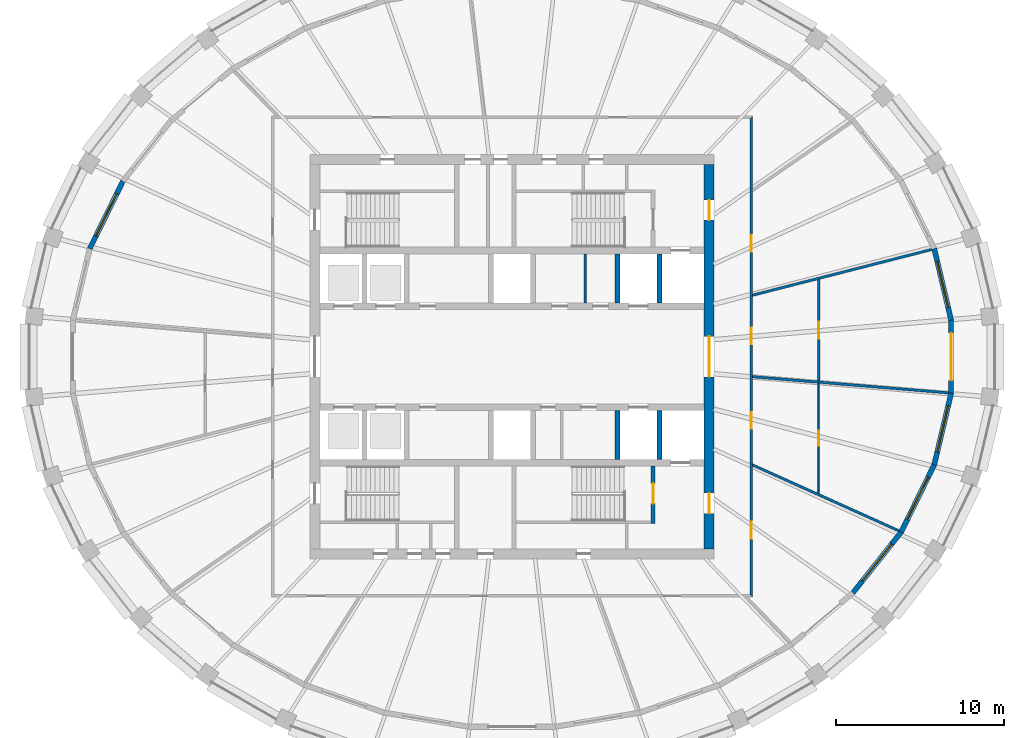
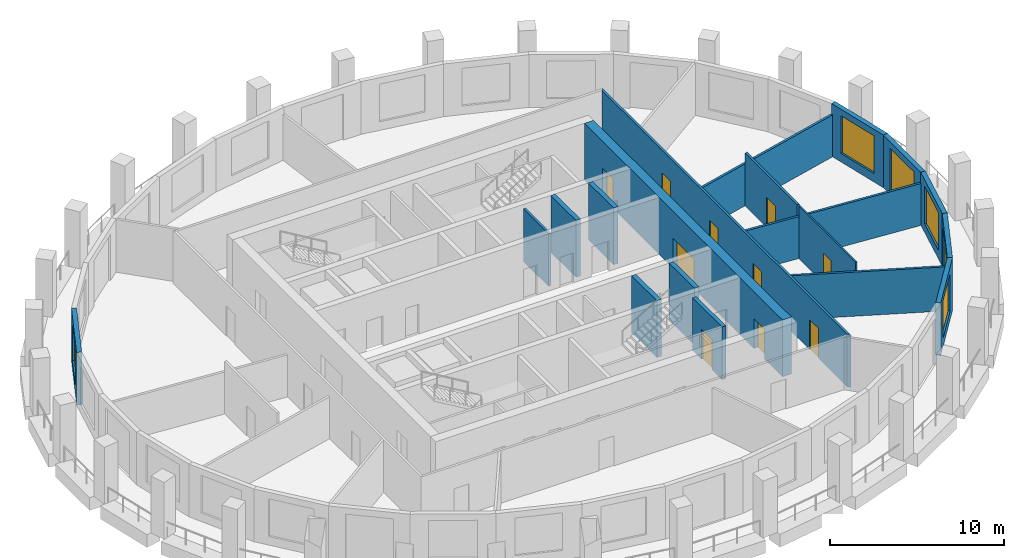
# One storey, part 5 of 10: 19 walls, 11 doors, 5 windows, 16 openings.
"""IFC4 building model written with IfcOpenShell, lengths in metres."""

from ifc_helpers import new_model, si_unit, direction, frame, frame_2d, origin, place, context, subcontext, project, spatial, polyline, rectangle, outline, extrude, material, layer, layer_set, type_object, element, fill, save


model = new_model("IFC4")

# Units and contexts
model_context = context("Model", 3, precision=1e-05, world=origin(), true_north=direction((0.0, 1.0)))
body_context = subcontext(model_context, "Body", "Model", "MODEL_VIEW")
ifc_project = project(units=[si_unit("LENGTHUNIT", "METRE"), si_unit("AREAUNIT", "SQUARE_METRE"), si_unit("VOLUMEUNIT", "CUBIC_METRE"), si_unit("PLANEANGLEUNIT", "RADIAN"), si_unit("MASSUNIT", "GRAM", prefix="KILO")], contexts=[model_context])

# Site, building, storey
site_placement = place(None, origin())
site = spatial("IfcSite", under=ifc_project, at=site_placement, CompositionType="ELEMENT")
building_placement = place(site_placement, origin())
building = spatial("IfcBuilding", under=site, at=building_placement, Name="Halqa Exchange Tower", CompositionType="ELEMENT")
storey_placement = place(building_placement, frame((0.0, 0.0, 312.300048828125)))
storey = spatial("IfcBuildingStorey", under=building, at=storey_placement, Name="L73", CompositionType="ELEMENT", Elevation=312.300048828125)

# Wall, opening, door
ifc_material_1 = material(Name="Gypsum board")
ifc_layer_1 = layer(ifc_material_1, 0.14990234375)
ifc_layer_set_1 = layer_set([ifc_layer_1], Name="Gypsum board")
wall_type_1 = type_object("IfcWallType", Name="Acoustic partition 150", PredefinedType="PARTITIONING", material=ifc_layer_set_1)
wall_1_placement = place(storey_placement, frame((18.199951171875, 4.591552734375, 0.0), z_axis=(0.0, 0.0, 1.0), x_axis=(0.0, -1.0, 0.0)))
wall_1 = element("IfcWall", 1, at=wall_1_placement, inside=storey, type_object=wall_type_1, Name="L73-PWL-019", PredefinedType="PARTITIONING", context=body_context, shape_type="SweptSolid", body=[
    extrude(outline(polyline([(0.0380859375, -0.074951171875), (2.031982421875, -0.074951171875), (4.025634765625, -0.074951171875), (6.01953125, -0.074951171875), (6.031494140625, 0.069580078125), (6.031494140625, 0.074951171875), (4.523681640625, 0.074951171875), (3.015625, 0.074951171875), (1.5078125, 0.074951171875), (0.0, 0.074951171875), (0.0, 0.07421875), (0.0380859375, -0.074951171875)])), origin(), (0.0, 0.0, 1.0), 3.699951171875),
])
opening_1_placement = place(wall_1_placement, frame((2.521484375, 0.0, 0.0)))
opening_1 = element("IfcOpeningElement", 2, at=opening_1_placement, cuts=wall_1, Name="Opening 22-15", PredefinedType="OPENING", context=body_context, shape_type="SweptSolid", body=[
    extrude(rectangle(XDim=1.0, YDim=2.10009765625, at=frame_2d((0.5, 1.050048828125))), frame((0.0, 0.0869140625, 0.0), z_axis=(0.0, -1.0, 0.0), x_axis=(1.0, 0.0, 0.0)), (0.0, 0.0, 1.0), 0.173828125),
])
ifc_material_2 = material(Name="Timber door leaf", Category="wood")
door_type_1 = type_object("IfcDoorType", Name="Acoustic door 1000 x 2100", OperationType="SINGLE_SWING_LEFT", PredefinedType="DOOR", material=ifc_material_2)
door_1_placement = place(opening_1_placement, frame((1.0, 0.0, 0.0), z_axis=(0.0, 0.0, 1.0), x_axis=(-1.0, 0.0, 0.0)))
door_1 = element("IfcDoor", 3, at=door_1_placement, inside=storey, type_object=door_type_1, Name="L73-IDR-015", OperationType="SINGLE_SWING_RIGHT", OverallHeight=2.10009765625, OverallWidth=1.0, PredefinedType="DOOR", context=body_context, shape_type="SweptSolid", body=[
    extrude(rectangle(XDim=1.0, YDim=2.10009765625, at=frame_2d((0.5, 1.050048828125))), frame((0.0, 0.02490234375, 0.0), z_axis=(0.0, -1.0, 0.0), x_axis=(1.0, 0.0, 0.0)), (0.0, 0.0, 1.0), 0.050048828125),
])
fill(opening_1, door_1)

# Wall, openings, doors
ifc_material_3 = material(Name="Fire-rated gypsum board")
ifc_layer_2 = layer(ifc_material_3, 0.14990234375)
ifc_layer_set_2 = layer_set([ifc_layer_2], Name="Fire-rated gypsum board")
wall_type_2 = type_object("IfcWallType", Name="Fire partition EI 60 150", PredefinedType="PARTITIONING", material=ifc_layer_set_2)
wall_2_placement = place(storey_placement, frame((14.199951171875, -14.27490234375, 0.0), z_axis=(0.0, 0.0, 1.0), x_axis=(0.0, 1.0, 0.0)))
wall_2 = element("IfcWall", 4, at=wall_2_placement, inside=storey, type_object=wall_type_2, Name="L73-PWL-013", PredefinedType="PARTITIONING", context=body_context, shape_type="SweptSolid", body=[
    extrude(outline(polyline([(28.5498046875, -0.074951171875), (28.5498046875, -0.074951171875), (28.39990234375, 0.074951171875), (26.5166015625, 0.074951171875), (24.63330078125, 0.074951171875), (22.75, 0.074951171875), (20.866455078125, 0.074951171875), (18.983154296875, 0.074951171875), (17.099853515625, 0.074951171875), (15.216552734375, 0.074951171875), (13.333251953125, 0.074951171875), (11.449951171875, 0.074951171875), (9.566650390625, 0.074951171875), (7.683349609375, 0.074951171875), (5.7998046875, 0.074951171875), (3.91650390625, 0.074951171875), (2.033203125, 0.074951171875), (0.14990234375, 0.074951171875), (0.0, -0.074951171875), (1.9033203125, -0.074951171875), (3.806640625, -0.074951171875), (5.7099609375, -0.074951171875), (7.61328125, -0.074951171875), (9.5166015625, -0.074951171875), (11.419921875, -0.074951171875), (13.3232421875, -0.074951171875), (15.2265625, -0.074951171875), (17.1298828125, -0.074951171875), (19.033203125, -0.074951171875), (20.9365234375, -0.074951171875), (22.83984375, -0.074951171875), (24.7431640625, -0.074951171875), (26.646484375, -0.074951171875), (28.5498046875, -0.074951171875)])), origin(), (0.0, 0.0, 1.0), 3.699951171875),
])
opening_2_placement = place(wall_2_placement, frame((3.47998046875, 0.0, 0.0)))
opening_2 = element("IfcOpeningElement", 5, at=opening_2_placement, cuts=wall_2, Name="Opening 22-07", PredefinedType="OPENING", context=body_context, shape_type="SweptSolid", body=[
    extrude(rectangle(XDim=1.0, YDim=2.10009765625, at=frame_2d((0.5, 1.050048828125))), frame((0.0, 0.0869140625, 0.0), z_axis=(0.0, -1.0, 0.0), x_axis=(1.0, 0.0, 0.0)), (0.0, 0.0, 1.0), 0.173828125),
])
opening_3_placement = place(wall_2_placement, frame((9.989990234375, 0.0, 0.0)))
opening_3 = element("IfcOpeningElement", 6, at=opening_3_placement, cuts=wall_2, Name="Opening 22-08", PredefinedType="OPENING", context=body_context, shape_type="SweptSolid", body=[
    extrude(rectangle(XDim=1.0, YDim=2.10009765625, at=frame_2d((0.5, 1.050048828125))), frame((0.0, 0.0869140625, 0.0), z_axis=(0.0, -1.0, 0.0), x_axis=(1.0, 0.0, 0.0)), (0.0, 0.0, 1.0), 0.173828125),
])
opening_4_placement = place(wall_2_placement, frame((15.0, 0.0, 0.0)))
opening_4 = element("IfcOpeningElement", 7, at=opening_4_placement, cuts=wall_2, Name="Opening 22-09", PredefinedType="OPENING", context=body_context, shape_type="SweptSolid", body=[
    extrude(rectangle(XDim=1.0, YDim=2.10009765625, at=frame_2d((0.5, 1.050048828125))), frame((0.0, 0.0869140625, 0.0), z_axis=(0.0, -1.0, 0.0), x_axis=(1.0, 0.0, 0.0)), (0.0, 0.0, 1.0), 0.173828125),
])
opening_5_placement = place(wall_2_placement, frame((20.4951171875, 0.0, 0.0)))
opening_5 = element("IfcOpeningElement", 8, at=opening_5_placement, cuts=wall_2, Name="Opening 22-10", PredefinedType="OPENING", context=body_context, shape_type="SweptSolid", body=[
    extrude(rectangle(XDim=1.0, YDim=2.10009765625, at=frame_2d((0.5, 1.050048828125))), frame((0.0, 0.0869140625, 0.0), z_axis=(0.0, -1.0, 0.0), x_axis=(1.0, 0.0, 0.0)), (0.0, 0.0, 1.0), 0.173828125),
])
ifc_material_4 = material(Name="Steel fire door leaf", Category="steel")
door_type_2 = type_object("IfcDoorType", Name="Fire door FD30S 1000 x 2100", OperationType="SINGLE_SWING_LEFT", PredefinedType="DOOR", material=ifc_material_4)
door_2_placement = place(opening_2_placement, frame((1.0, 0.0, 0.0), z_axis=(0.0, 0.0, 1.0), x_axis=(-1.0, 0.0, 0.0)))
door_2 = element("IfcDoor", 9, at=door_2_placement, inside=storey, type_object=door_type_2, Name="L73-IDR-007", OperationType="SINGLE_SWING_RIGHT", OverallHeight=2.10009765625, OverallWidth=1.0, PredefinedType="DOOR", context=body_context, shape_type="SweptSolid", body=[
    extrude(rectangle(XDim=1.0, YDim=2.10009765625, at=frame_2d((0.5, 1.050048828125))), frame((0.0, 0.02490234375, 0.0), z_axis=(0.0, -1.0, 0.0), x_axis=(1.0, 0.0, 0.0)), (0.0, 0.0, 1.0), 0.050048828125),
])
fill(opening_2, door_2)
door_3_placement = place(opening_3_placement, frame((1.0, 0.0, 0.0), z_axis=(0.0, 0.0, 1.0), x_axis=(-1.0, 0.0, 0.0)))
door_3 = element("IfcDoor", 10, at=door_3_placement, inside=storey, type_object=door_type_2, Name="L73-IDR-008", OperationType="SINGLE_SWING_RIGHT", OverallHeight=2.10009765625, OverallWidth=1.0, PredefinedType="DOOR", context=body_context, shape_type="SweptSolid", body=[
    extrude(rectangle(XDim=1.0, YDim=2.10009765625, at=frame_2d((0.5, 1.050048828125))), frame((0.0, 0.02490234375, 0.0), z_axis=(0.0, -1.0, 0.0), x_axis=(1.0, 0.0, 0.0)), (0.0, 0.0, 1.0), 0.050048828125),
])
fill(opening_3, door_3)
door_4_placement = place(opening_4_placement, frame((1.0, 0.0, 0.0), z_axis=(0.0, 0.0, 1.0), x_axis=(-1.0, 0.0, 0.0)))
door_4 = element("IfcDoor", 11, at=door_4_placement, inside=storey, type_object=door_type_2, Name="L73-IDR-009", OperationType="SINGLE_SWING_RIGHT", OverallHeight=2.10009765625, OverallWidth=1.0, PredefinedType="DOOR", context=body_context, shape_type="SweptSolid", body=[
    extrude(rectangle(XDim=1.0, YDim=2.10009765625, at=frame_2d((0.5, 1.050048828125))), frame((0.0, 0.02490234375, 0.0), z_axis=(0.0, -1.0, 0.0), x_axis=(1.0, 0.0, 0.0)), (0.0, 0.0, 1.0), 0.050048828125),
])
fill(opening_4, door_4)
door_5_placement = place(opening_5_placement, frame((1.0, 0.0, 0.0), z_axis=(0.0, 0.0, 1.0), x_axis=(-1.0, 0.0, 0.0)))
door_5 = element("IfcDoor", 12, at=door_5_placement, inside=storey, type_object=door_type_2, Name="L73-IDR-010", OperationType="SINGLE_SWING_LEFT", OverallHeight=2.10009765625, OverallWidth=1.0, PredefinedType="DOOR", context=body_context, shape_type="SweptSolid", body=[
    extrude(rectangle(XDim=1.0, YDim=2.10009765625, at=frame_2d((0.5, 1.050048828125))), frame((0.0, 0.02490234375, 0.0), z_axis=(0.0, -1.0, 0.0), x_axis=(1.0, 0.0, 0.0)), (0.0, 0.0, 1.0), 0.050048828125),
])
fill(opening_5, door_5)

# Walls
wall_3_placement = place(storey_placement, frame((14.24462890625, -6.41015625, 0.0), z_axis=(0.0, 0.0, 1.0), x_axis=(0.911854164739, -0.410514289944, 0.0)))
element("IfcWall", 13, at=wall_3_placement, inside=storey, type_object=wall_type_2, Name="L73-PWL-014", PredefinedType="PARTITIONING", context=body_context, shape_type="SweptSolid", body=[
    extrude(outline(polyline([(0.067138671875, -0.074951171875), (1.962646484375, -0.074951171875), (3.858154296875, -0.074951171875), (5.753662109375, -0.074951171875), (7.649169921875, -0.074951171875), (9.544677734375, -0.074951171875), (9.564453125, 0.0029296875), (9.566650390625, 0.06884765625), (9.566650390625, 0.074951171875), (7.795166015625, 0.074951171875), (6.02392578125, 0.074951171875), (4.25244140625, 0.074951171875), (4.249755859375, 0.07373046875), (4.249267578125, 0.074951171875), (2.832763671875, 0.074951171875), (1.41650390625, 0.074951171875), (0.0, 0.074951171875), (0.0, 0.073974609375), (0.067138671875, -0.074951171875)])), origin(), (0.0, 0.0, 1.0), 3.099853515625),
])
wall_4_placement = place(storey_placement, frame((14.269287109375, -1.185791015625, 0.0), z_axis=(0.0, 0.0, 1.0), x_axis=(0.996625584757, -0.082081933503, 0.0)))
element("IfcWall", 14, at=wall_4_placement, inside=storey, type_object=wall_type_2, Name="L73-PWL-015", PredefinedType="PARTITIONING", context=body_context, shape_type="SweptSolid", body=[
    extrude(outline(polyline([(0.011962890625, -0.074951171875), (1.9560546875, -0.074951171875), (3.900146484375, -0.074951171875), (5.84423828125, -0.074951171875), (7.788330078125, -0.074951171875), (9.732421875, -0.074951171875), (11.67626953125, -0.074951171875), (11.68017578125, -0.0498046875), (11.68017578125, 0.074951171875), (9.7333984375, 0.074951171875), (7.786865234375, 0.074951171875), (5.840087890625, 0.074951171875), (3.893310546875, 0.074951171875), (1.94677734375, 0.074951171875), (0.0, 0.074951171875), (0.0, 0.069580078125), (0.011962890625, -0.074951171875)])), origin(), (0.0, 0.0, 1.0), 2.947021484375),
])
wall_5_placement = place(storey_placement, frame((14.256591796875, 3.64453125, 0.0), z_axis=(0.0, 0.0, 1.0), x_axis=(0.968996414646, 0.247074783017, 0.0)))
element("IfcWall", 15, at=wall_5_placement, inside=storey, type_object=wall_type_2, Name="L73-PWL-016", PredefinedType="PARTITIONING", context=body_context, shape_type="SweptSolid", body=[
    extrude(outline(polyline([(0.0, -0.074951171875), (1.986572265625, -0.074951171875), (3.97314453125, -0.074951171875), (3.973388671875, -0.073486328125), (3.97900390625, -0.074951171875), (5.735107421875, -0.074951171875), (7.4912109375, -0.074951171875), (9.24755859375, -0.074951171875), (11.003662109375, -0.074951171875), (11.003662109375, 0.007568359375), (10.989501953125, 0.074951171875), (9.164306640625, 0.074951171875), (7.339111328125, 0.074951171875), (5.513916015625, 0.074951171875), (3.6884765625, 0.074951171875), (1.86328125, 0.074951171875), (0.0380859375, 0.074951171875), (0.0, -0.074462890625), (0.0, -0.074951171875)])), origin(), (0.0, 0.0, 1.0), 2.947021484375),
])

# Wall, opening, door
ifc_layer_3 = layer(ifc_material_1, 0.10009765625)
ifc_layer_set_3 = layer_set([ifc_layer_3], Name="Gypsum board")
wall_type_3 = type_object("IfcWallType", Name="Partition 100 gypsum", PredefinedType="PARTITIONING", material=ifc_layer_set_3)
wall_6_placement = place(storey_placement, frame((18.199951171875, -1.5810546875, 0.0), z_axis=(0.0, 0.0, 1.0), x_axis=(0.0, -1.0, 0.0)))
wall_6 = element("IfcWall", 16, at=wall_6_placement, inside=storey, type_object=wall_type_3, Name="L73-PWL-018", PredefinedType="PARTITIONING", context=body_context, shape_type="SweptSolid", body=[
    extrude(outline(polyline([(0.0, -0.050048828125), (1.626220703125, -0.050048828125), (3.25244140625, -0.050048828125), (4.878662109375, -0.050048828125), (6.505126953125, -0.050048828125), (6.550048828125, 0.050048828125), (6.550048828125, 0.050048828125), (4.91455078125, 0.050048828125), (3.27880859375, 0.050048828125), (1.643310546875, 0.050048828125), (0.0078125, 0.050048828125), (0.0, -0.044189453125), (0.0, -0.050048828125)])), origin(), (0.0, 0.0, 1.0), 3.699951171875),
])
opening_6_placement = place(wall_6_placement, frame((2.819091796875, 0.0, 0.0)))
opening_6 = element("IfcOpeningElement", 17, at=opening_6_placement, cuts=wall_6, Name="Opening 22-14", PredefinedType="OPENING", context=body_context, shape_type="SweptSolid", body=[
    extrude(rectangle(XDim=0.89990234375, YDim=2.10009765625, at=frame_2d((0.449951171875, 1.050048828125))), frame((0.0, 0.06201171875, 0.0), z_axis=(0.0, -1.0, 0.0), x_axis=(1.0, 0.0, 0.0)), (0.0, 0.0, 1.0), 0.1240234375),
])
door_type_3 = type_object("IfcDoorType", Name="Door 900 x 2100", OperationType="SINGLE_SWING_LEFT", PredefinedType="DOOR", material=ifc_material_2)
door_6_placement = place(opening_6_placement, frame((0.89990234375, 0.0, 0.0), z_axis=(0.0, 0.0, 1.0), x_axis=(-1.0, 0.0, 0.0)))
door_6 = element("IfcDoor", 18, at=door_6_placement, inside=storey, type_object=door_type_3, Name="L73-IDR-014", OperationType="SINGLE_SWING_RIGHT", OverallHeight=2.10009765625, OverallWidth=0.89990234375, PredefinedType="DOOR", context=body_context, shape_type="SweptSolid", body=[
    extrude(rectangle(XDim=0.89990234375, YDim=2.10009765625, at=frame_2d((0.449951171875, 1.050048828125))), frame((0.0, 0.02490234375, 0.0), z_axis=(0.0, -1.0, 0.0), x_axis=(1.0, 0.0, 0.0)), (0.0, 0.0, 1.0), 0.050048828125),
])
fill(opening_6, door_6)

# Walls
ifc_layer_4 = layer(ifc_material_1, 0.14990234375)
ifc_layer_set_4 = layer_set([ifc_layer_4], Name="Gypsum board")
wall_type_4 = type_object("IfcWallType", Name="Penthouse riser wall 150 gypsum", PredefinedType="PARTITIONING", material=ifc_layer_set_4)
wall_7_placement = place(storey_placement, frame((4.35009765625, 3.199951171875, 0.0), z_axis=(0.0, 0.0, 1.0), x_axis=(0.0, 1.0, 0.0)))
element("IfcWall", 19, at=wall_7_placement, inside=storey, type_object=wall_type_4, Name="Freed bay partition NE4.350", PredefinedType="PARTITIONING", context=body_context, shape_type="SweptSolid", body=[
    extrude(rectangle(XDim=2.900146484375, YDim=0.14990234375, at=frame_2d((1.4501953125, 0.0))), origin(), (0.0, 0.0, 1.0), 3.699951171875),
])
ifc_material_5 = material(Name="Concrete C60/75", Category="concrete")
ifc_layer_5 = layer(ifc_material_5, 0.300048828125)
ifc_layer_set_5 = layer_set([ifc_layer_5], Name="Concrete C60/75")
wall_type_5 = type_object("IfcWallType", Name="RC core wall 300", PredefinedType="SHEAR", material=ifc_layer_set_5)
for number, where, z_axis, x_axis, name in (
    (20, (6.25, 3.199951171875, 0.0), (0.0, 0.0, 1.0), (0.0, 1.0, 0.0), "Shaft divider N7"),
    (21, (8.75, 3.199951171875, 0.0), (0.0, 0.0, 1.0), (0.0, 1.0, 0.0), "Shaft divider N8"),
    (22, (6.25, -6.10009765625, 0.0), (0.0, 0.0, 1.0), (0.0, 1.0, 0.0), "Shaft divider S7"),
    (23, (8.75, -6.10009765625, 0.0), (0.0, 0.0, 1.0), (0.0, 1.0, 0.0), "Shaft divider S8"),
):
    element("IfcWall", number, at=place(storey_placement, frame(where, z_axis=z_axis, x_axis=x_axis)), inside=storey, type_object=wall_type_5, Name=name, PredefinedType="SHEAR", context=body_context, shape_type="SweptSolid", body=[
        extrude(rectangle(XDim=2.900146484375, YDim=0.300048828125, at=frame_2d((1.4501953125, 0.0))), origin(), (0.0, 0.0, 1.0), 4.0),
    ])

# Wall, openings, doors
ifc_layer_6 = layer(ifc_material_5, 0.60009765625)
ifc_layer_set_6 = layer_set([ifc_layer_6], Name="Concrete C60/75")
wall_type_6 = type_object("IfcWallType", Name="RC core wall 600 C60/75", PredefinedType="SHEAR", material=ifc_layer_set_6)
wall_8_placement = place(storey_placement, frame((11.699951171875, -11.39990234375, 0.0), z_axis=(0.0, 0.0, 1.0), x_axis=(0.0, 1.0, 0.0)))
wall_8 = element("IfcWall", 24, at=wall_8_placement, inside=storey, type_object=wall_type_6, Name="Core wall east", PredefinedType="SHEAR", context=body_context, shape_type="SweptSolid", body=[
    extrude(rectangle(XDim=22.7998046875, YDim=0.60009765625, at=frame_2d((11.39990234375, 0.0))), origin(), (0.0, 0.0, 1.0), 4.0),
])
opening_7_placement = place(wall_8_placement, frame((10.199951171875, 0.0, 0.0)))
opening_7 = element("IfcOpeningElement", 25, at=opening_7_placement, cuts=wall_8, Name="Opening T22-C10", PredefinedType="OPENING", context=body_context, shape_type="SweptSolid", body=[
    extrude(rectangle(XDim=2.39990234375, YDim=2.10009765625, at=frame_2d((1.199951171875, 1.050048828125))), frame((0.0, 0.31201171875, 0.0), z_axis=(0.0, -1.0, 0.0), x_axis=(1.0, 0.0, 0.0)), (0.0, 0.0, 1.0), 0.6240234375),
])
opening_8_placement = place(wall_8_placement, frame((19.5, 0.0, 0.0)))
opening_8 = element("IfcOpeningElement", 26, at=opening_8_placement, cuts=wall_8, Name="Opening T22-C15", PredefinedType="OPENING", context=body_context, shape_type="SweptSolid", body=[
    extrude(rectangle(XDim=1.199951171875, YDim=2.10009765625, at=frame_2d((0.60009765625, 1.050048828125))), frame((0.0, 0.31201171875, 0.0), z_axis=(0.0, -1.0, 0.0), x_axis=(1.0, 0.0, 0.0)), (0.0, 0.0, 1.0), 0.6240234375),
])
opening_9_placement = place(wall_8_placement, frame((2.10009765625, 0.0, 0.0)))
opening_9 = element("IfcOpeningElement", 27, at=opening_9_placement, cuts=wall_8, Name="Opening T22-C16", PredefinedType="OPENING", context=body_context, shape_type="SweptSolid", body=[
    extrude(rectangle(XDim=1.199951171875, YDim=2.10009765625, at=frame_2d((0.60009765625, 1.050048828125))), frame((0.0, 0.31201171875, 0.0), z_axis=(0.0, -1.0, 0.0), x_axis=(1.0, 0.0, 0.0)), (0.0, 0.0, 1.0), 0.6240234375),
])
door_type_4 = type_object("IfcDoorType", Name="Firefighting lobby door FD90 1200 x 2100", OperationType="SINGLE_SWING_RIGHT", PredefinedType="DOOR", material=ifc_material_4)
door_7_placement = place(opening_8_placement, origin())
door_7 = element("IfcDoor", 28, at=door_7_placement, inside=storey, type_object=door_type_4, Name="Firefighting lobby door", OperationType="SINGLE_SWING_RIGHT", OverallHeight=2.10009765625, OverallWidth=1.199951171875, PredefinedType="DOOR", context=body_context, shape_type="SweptSolid", body=[
    extrude(rectangle(XDim=1.199951171875, YDim=2.10009765625, at=frame_2d((0.60009765625, 1.050048828125))), frame((0.0, 0.02490234375, 0.0), z_axis=(0.0, -1.0, 0.0), x_axis=(1.0, 0.0, 0.0)), (0.0, 0.0, 1.0), 0.050048828125),
])
fill(opening_8, door_7)
door_8_placement = place(opening_9_placement, origin())
door_8 = element("IfcDoor", 29, at=door_8_placement, inside=storey, type_object=door_type_4, Name="Firefighting lobby door", OperationType="SINGLE_SWING_LEFT", OverallHeight=2.10009765625, OverallWidth=1.199951171875, PredefinedType="DOOR", context=body_context, shape_type="SweptSolid", body=[
    extrude(rectangle(XDim=1.199951171875, YDim=2.10009765625, at=frame_2d((0.60009765625, 1.050048828125))), frame((0.0, 0.02490234375, 0.0), z_axis=(0.0, -1.0, 0.0), x_axis=(1.0, 0.0, 0.0)), (0.0, 0.0, 1.0), 0.050048828125),
])
fill(opening_9, door_8)
door_type_5 = type_object("IfcDoorType", Name="Lobby double door FD60 2400 x 2100", OperationType="DOUBLE_DOOR_SINGLE_SWING", PredefinedType="DOOR", material=ifc_material_4)
door_9_placement = place(opening_7_placement, origin())
door_9 = element("IfcDoor", 30, at=door_9_placement, inside=storey, type_object=door_type_5, Name="Lift lobby double door", OperationType="DOUBLE_DOOR_SINGLE_SWING", OverallHeight=2.10009765625, OverallWidth=2.39990234375, PredefinedType="DOOR", context=body_context, shape_type="SweptSolid", body=[
    extrude(rectangle(XDim=2.39990234375, YDim=2.10009765625, at=frame_2d((1.199951171875, 1.050048828125))), frame((0.0, 0.02490234375, 0.0), z_axis=(0.0, -1.0, 0.0), x_axis=(1.0, 0.0, 0.0)), (0.0, 0.0, 1.0), 0.050048828125),
])
fill(opening_7, door_9)

# Wall, opening, door
ifc_material_6 = material(Name="Concrete C30/37", Category="concrete")
ifc_layer_7 = layer(ifc_material_6, 0.25)
ifc_layer_set_7 = layer_set([ifc_layer_7], Name="Concrete C30/37")
wall_type_7 = type_object("IfcWallType", Name="RC stair wall 250 C30/37", PredefinedType="SHEAR", material=ifc_layer_set_7)
wall_9_placement = place(storey_placement, frame((8.375, -9.89990234375, 0.0), z_axis=(0.0, 0.0, 1.0), x_axis=(0.0, 1.0, 0.0)))
wall_9 = element("IfcWall", 31, at=wall_9_placement, inside=storey, type_object=wall_type_7, Name="Stair ST2 east wall S", PredefinedType="SHEAR", context=body_context, shape_type="SweptSolid", body=[
    extrude(rectangle(XDim=3.39990234375, YDim=0.25, at=frame_2d((1.699951171875, 0.0))), origin(), (0.0, 0.0, 1.0), 3.699951171875),
])
opening_10_placement = place(wall_9_placement, frame((1.175048828125, 0.0, 0.0)))
opening_10 = element("IfcOpeningElement", 32, at=opening_10_placement, cuts=wall_9, Name="Opening T22-C14", PredefinedType="OPENING", context=body_context, shape_type="SweptSolid", body=[
    extrude(rectangle(XDim=1.199951171875, YDim=2.10009765625, at=frame_2d((0.60009765625, 1.050048828125))), frame((0.0, 0.136962890625, 0.0), z_axis=(0.0, -1.0, 0.0), x_axis=(1.0, 0.0, 0.0)), (0.0, 0.0, 1.0), 0.27392578125),
])
door_type_6 = type_object("IfcDoorType", Name="Stair door FD90 1200 x 2100", OperationType="SINGLE_SWING_LEFT", PredefinedType="DOOR", material=ifc_material_4)
door_10_placement = place(opening_10_placement, origin())
door_10 = element("IfcDoor", 33, at=door_10_placement, inside=storey, type_object=door_type_6, Name="Stair door ST4", OperationType="SINGLE_SWING_LEFT", OverallHeight=2.10009765625, OverallWidth=1.199951171875, PredefinedType="DOOR", context=body_context, shape_type="SweptSolid", body=[
    extrude(rectangle(XDim=1.199951171875, YDim=2.10009765625, at=frame_2d((0.60009765625, 1.050048828125))), frame((0.0, 0.02490234375, 0.0), z_axis=(0.0, -1.0, 0.0), x_axis=(1.0, 0.0, 0.0)), (0.0, 0.0, 1.0), 0.050048828125),
])
fill(opening_10, door_10)

# Wall, opening, window
ifc_material_7 = material(Name="Limestone cladding", Category="masonry")
ifc_layer_8 = layer(ifc_material_7, 0.0400390625)
ifc_material_8 = material(Name="Ventilated cavity")
ifc_layer_9 = layer(ifc_material_8, 0.030029296875, ventilated=True)
ifc_material_9 = material(Name="Mineral wool insulation")
ifc_layer_10 = layer(ifc_material_9, 0.10009765625)
ifc_layer_11 = layer(ifc_material_6, 0.10009765625)
ifc_material_10 = material(Name="Internal plaster")
ifc_layer_12 = layer(ifc_material_10, 0.030029296875)
ifc_layer_set_8 = layer_set([ifc_layer_8, ifc_layer_9, ifc_layer_10, ifc_layer_11, ifc_layer_12], Name="Stone-faced insulated wall 300")
wall_type_8 = type_object("IfcWallType", Name="Stone-faced insulated wall 300", PredefinedType="STANDARD", material=ifc_layer_set_8)
wall_10_placement = place(storey_placement, frame((26.066650390625, 2.166259765625, 0.0), z_axis=(0.0, 0.0, 1.0), x_axis=(-0.229974411334, 0.973196675977, 0.0)))
wall_10 = element("IfcWall", 34, at=wall_10_placement, inside=storey, type_object=wall_type_8, Name="Glass-line wall 1", PredefinedType="STANDARD", context=body_context, shape_type="SweptSolid", body=[
    extrude(outline(polyline([(-0.017578125, -0.14990234375), (4.382080078125, -0.14990234375), (4.348388671875, 0.14990234375), (0.017578125, 0.14990234375), (-0.017578125, -0.14990234375)])), origin(), (0.0, 0.0, 1.0), 3.699951171875),
])
opening_11_placement = place(wall_10_placement, frame((0.78271484375, 0.0, 0.60009765625)))
opening_11 = element("IfcOpeningElement", 35, at=opening_11_placement, cuts=wall_10, Name="Opening W-F4-01", PredefinedType="OPENING", context=body_context, shape_type="SweptSolid", body=[
    extrude(rectangle(XDim=2.800048828125, YDim=2.64990234375, at=frame_2d((1.39990234375, 1.324951171875))), frame((0.0, 0.162109375, 0.0), z_axis=(0.0, -1.0, 0.0), x_axis=(1.0, 0.0, 0.0)), (0.0, 0.0, 1.0), 0.323974609375),
])
ifc_material_11 = material(Name="Clear low-emissivity glass in aluminium frame", Category="aluminium")
window_type = type_object("IfcWindowType", Name="Fixed clear glazed window 2800 x 2650", PartitioningType="DOUBLE_PANEL_VERTICAL", PredefinedType="WINDOW", material=ifc_material_11)
window_1_placement = place(opening_11_placement, origin())
window_1 = element("IfcWindow", 36, at=window_1_placement, inside=storey, type_object=window_type, Name="Window 4", OverallHeight=2.64990234375, OverallWidth=2.800048828125, PartitioningType="DOUBLE_PANEL_VERTICAL", PredefinedType="WINDOW", context=body_context, shape_type="SweptSolid", body=[
    extrude(rectangle(XDim=2.800048828125, YDim=2.64990234375, at=frame_2d((1.39990234375, 1.324951171875))), frame((0.0, 0.030029296875, 0.0), z_axis=(0.0, -1.0, 0.0), x_axis=(1.0, 0.0, 0.0)), (0.0, 0.0, 1.0), 0.06005859375),
])
fill(opening_11, window_1)

wall_11_placement = place(storey_placement, frame((-23.094482421875, 10.41455078125, 0.0), z_axis=(0.0, 0.0, 1.0), x_axis=(-0.441509050872, -0.897256796017, 0.0)))
wall_11 = element("IfcWall", 37, at=wall_11_placement, inside=storey, type_object=wall_type_8, Name="Glass-line wall 14", PredefinedType="STANDARD", context=body_context, shape_type="SweptSolid", body=[
    extrude(outline(polyline([(-0.01611328125, -0.14990234375), (4.474853515625, -0.14990234375), (4.441162109375, 0.14990234375), (0.01611328125, 0.14990234375), (-0.01611328125, -0.14990234375)])), origin(), (0.0, 0.0, 1.0), 3.699951171875),
])
opening_12_placement = place(wall_11_placement, frame((0.8291015625, 0.0, 0.60009765625)))
opening_12 = element("IfcOpeningElement", 38, at=opening_12_placement, cuts=wall_11, Name="Opening W-F4-14", PredefinedType="OPENING", context=body_context, shape_type="SweptSolid", body=[
    extrude(rectangle(XDim=2.800048828125, YDim=2.64990234375, at=frame_2d((1.39990234375, 1.324951171875))), frame((0.0, 0.162109375, 0.0), z_axis=(0.0, -1.0, 0.0), x_axis=(1.0, 0.0, 0.0)), (0.0, 0.0, 1.0), 0.323974609375),
])
window_2_placement = place(opening_12_placement, origin())
window_2 = element("IfcWindow", 39, at=window_2_placement, inside=storey, type_object=window_type, Name="Window 4", OverallHeight=2.64990234375, OverallWidth=2.800048828125, PartitioningType="DOUBLE_PANEL_VERTICAL", PredefinedType="WINDOW", context=body_context, shape_type="SweptSolid", body=[
    extrude(rectangle(XDim=2.800048828125, YDim=2.64990234375, at=frame_2d((1.39990234375, 1.324951171875))), frame((0.0, 0.030029296875, 0.0), z_axis=(0.0, -1.0, 0.0), x_axis=(1.0, 0.0, 0.0)), (0.0, 0.0, 1.0), 0.06005859375),
])
fill(opening_12, window_2)

wall_12_placement = place(storey_placement, frame((20.239013671875, -14.01220703125, 0.0), z_axis=(0.0, 0.0, 1.0), x_axis=(0.621682706372, 0.78326918272, 0.0)))
wall_12 = element("IfcWall", 40, at=wall_12_placement, inside=storey, type_object=wall_type_8, Name="Glass-line wall 29", PredefinedType="STANDARD", context=body_context, shape_type="SweptSolid", body=[
    extrude(outline(polyline([(-0.01513671875, -0.14990234375), (4.609130859375, -0.14990234375), (4.576904296875, 0.14990234375), (0.01513671875, 0.14990234375), (-0.01513671875, -0.14990234375)])), origin(), (0.0, 0.0, 1.0), 3.699951171875),
])
opening_13_placement = place(wall_12_placement, frame((0.896484375, 0.0, 0.60009765625)))
opening_13 = element("IfcOpeningElement", 41, at=opening_13_placement, cuts=wall_12, Name="Opening W-F4-29", PredefinedType="OPENING", context=body_context, shape_type="SweptSolid", body=[
    extrude(rectangle(XDim=2.800048828125, YDim=2.64990234375, at=frame_2d((1.39990234375, 1.324951171875))), frame((0.0, 0.162109375, 0.0), z_axis=(0.0, -1.0, 0.0), x_axis=(1.0, 0.0, 0.0)), (0.0, 0.0, 1.0), 0.323974609375),
])
window_3_placement = place(opening_13_placement, origin())
window_3 = element("IfcWindow", 42, at=window_3_placement, inside=storey, type_object=window_type, Name="Window 4", OverallHeight=2.64990234375, OverallWidth=2.800048828125, PartitioningType="DOUBLE_PANEL_VERTICAL", PredefinedType="WINDOW", context=body_context, shape_type="SweptSolid", body=[
    extrude(rectangle(XDim=2.800048828125, YDim=2.64990234375, at=frame_2d((1.39990234375, 1.324951171875))), frame((0.0, 0.030029296875, 0.0), z_axis=(0.0, -1.0, 0.0), x_axis=(1.0, 0.0, 0.0)), (0.0, 0.0, 1.0), 0.06005859375),
])
fill(opening_13, window_3)

wall_13_placement = place(storey_placement, frame((23.094482421875, -10.41455078125, 0.0), z_axis=(0.0, 0.0, 1.0), x_axis=(0.441509050872, 0.897256796017, 0.0)))
wall_13 = element("IfcWall", 43, at=wall_13_placement, inside=storey, type_object=wall_type_8, Name="Glass-line wall 30", PredefinedType="STANDARD", context=body_context, shape_type="SweptSolid", body=[
    extrude(outline(polyline([(-0.01611328125, -0.14990234375), (4.474853515625, -0.14990234375), (4.441162109375, 0.14990234375), (0.01611328125, 0.14990234375), (-0.01611328125, -0.14990234375)])), origin(), (0.0, 0.0, 1.0), 3.699951171875),
])
opening_14_placement = place(wall_13_placement, frame((0.8291015625, 0.0, 0.60009765625)))
opening_14 = element("IfcOpeningElement", 44, at=opening_14_placement, cuts=wall_13, Name="Opening W-F4-30", PredefinedType="OPENING", context=body_context, shape_type="SweptSolid", body=[
    extrude(rectangle(XDim=2.800048828125, YDim=2.64990234375, at=frame_2d((1.39990234375, 1.324951171875))), frame((0.0, 0.162109375, 0.0), z_axis=(0.0, -1.0, 0.0), x_axis=(1.0, 0.0, 0.0)), (0.0, 0.0, 1.0), 0.323974609375),
])
window_4_placement = place(opening_14_placement, origin())
window_4 = element("IfcWindow", 45, at=window_4_placement, inside=storey, type_object=window_type, Name="Window 4", OverallHeight=2.64990234375, OverallWidth=2.800048828125, PartitioningType="DOUBLE_PANEL_VERTICAL", PredefinedType="WINDOW", context=body_context, shape_type="SweptSolid", body=[
    extrude(rectangle(XDim=2.800048828125, YDim=2.64990234375, at=frame_2d((1.39990234375, 1.324951171875))), frame((0.0, 0.030029296875, 0.0), z_axis=(0.0, -1.0, 0.0), x_axis=(1.0, 0.0, 0.0)), (0.0, 0.0, 1.0), 0.06005859375),
])
fill(opening_14, window_4)

wall_14_placement = place(storey_placement, frame((25.062744140625, -6.41455078125, 0.0), z_axis=(0.0, 0.0, 1.0), x_axis=(0.229974411334, 0.973196675977, 0.0)))
wall_14 = element("IfcWall", 46, at=wall_14_placement, inside=storey, type_object=wall_type_8, Name="Glass-line wall 31", PredefinedType="STANDARD", context=body_context, shape_type="SweptSolid", body=[
    extrude(outline(polyline([(-0.016845703125, -0.14990234375), (4.3828125, -0.14990234375), (4.34765625, 0.14990234375), (0.016845703125, 0.14990234375), (-0.016845703125, -0.14990234375)])), origin(), (0.0, 0.0, 1.0), 3.699951171875),
])
opening_15_placement = place(wall_14_placement, frame((0.78271484375, 0.0, 0.60009765625)))
opening_15 = element("IfcOpeningElement", 47, at=opening_15_placement, cuts=wall_14, Name="Opening W-F4-31", PredefinedType="OPENING", context=body_context, shape_type="SweptSolid", body=[
    extrude(rectangle(XDim=2.800048828125, YDim=2.64990234375, at=frame_2d((1.39990234375, 1.324951171875))), frame((0.0, 0.162109375, 0.0), z_axis=(0.0, -1.0, 0.0), x_axis=(1.0, 0.0, 0.0)), (0.0, 0.0, 1.0), 0.323974609375),
])
window_5_placement = place(opening_15_placement, origin())
window_5 = element("IfcWindow", 48, at=window_5_placement, inside=storey, type_object=window_type, Name="Window 4", OverallHeight=2.64990234375, OverallWidth=2.800048828125, PartitioningType="DOUBLE_PANEL_VERTICAL", PredefinedType="WINDOW", context=body_context, shape_type="SweptSolid", body=[
    extrude(rectangle(XDim=2.800048828125, YDim=2.64990234375, at=frame_2d((1.39990234375, 1.324951171875))), frame((0.0, 0.030029296875, 0.0), z_axis=(0.0, -1.0, 0.0), x_axis=(1.0, 0.0, 0.0)), (0.0, 0.0, 1.0), 0.06005859375),
])
fill(opening_15, window_5)

# Wall, opening, door
wall_15_placement = place(storey_placement, frame((26.066650390625, -2.166259765625, 0.0), z_axis=(0.0, 0.0, 1.0), x_axis=(0.0, 1.0, 0.0)))
wall_15 = element("IfcWall", 49, at=wall_15_placement, inside=storey, type_object=wall_type_8, Name="Glass-line wall 32", PredefinedType="STANDARD", context=body_context, shape_type="SweptSolid", body=[
    extrude(outline(polyline([(-0.017578125, -0.14990234375), (4.35009765625, -0.14990234375), (4.31494140625, 0.14990234375), (0.017578125, 0.14990234375), (-0.017578125, -0.14990234375)])), origin(), (0.0, 0.0, 1.0), 3.699951171875),
])
opening_16_placement = place(wall_15_placement, frame((0.76611328125, 0.0, 0.0)))
opening_16 = element("IfcOpeningElement", 50, at=opening_16_placement, cuts=wall_15, Name="Opening LG-F4-08", PredefinedType="OPENING", context=body_context, shape_type="SweptSolid", body=[
    extrude(rectangle(XDim=2.800048828125, YDim=3.25, at=frame_2d((1.39990234375, 1.625))), frame((0.0, 0.162109375, 0.0), z_axis=(0.0, -1.0, 0.0), x_axis=(1.0, 0.0, 0.0)), (0.0, 0.0, 1.0), 0.323974609375),
])
door_type_7 = type_object("IfcDoorType", Name="Glazed sliding loggia door 2800 x 3250", OperationType="DOUBLE_DOOR_SLIDING", PredefinedType="DOOR", material=ifc_material_11)
door_11_placement = place(opening_16_placement, origin())
door_11 = element("IfcDoor", 51, at=door_11_placement, inside=storey, type_object=door_type_7, Name="Loggia door 8", OperationType="DOUBLE_DOOR_SLIDING", OverallHeight=3.25, OverallWidth=2.800048828125, PredefinedType="DOOR", context=body_context, shape_type="SweptSolid", body=[
    extrude(rectangle(XDim=2.800048828125, YDim=3.25, at=frame_2d((1.39990234375, 1.625))), frame((0.0, 0.02490234375, 0.0), z_axis=(0.0, -1.0, 0.0), x_axis=(1.0, 0.0, 0.0)), (0.0, 0.0, 1.0), 0.050048828125),
])
fill(opening_16, door_11)

save(model, "model.ifc")
